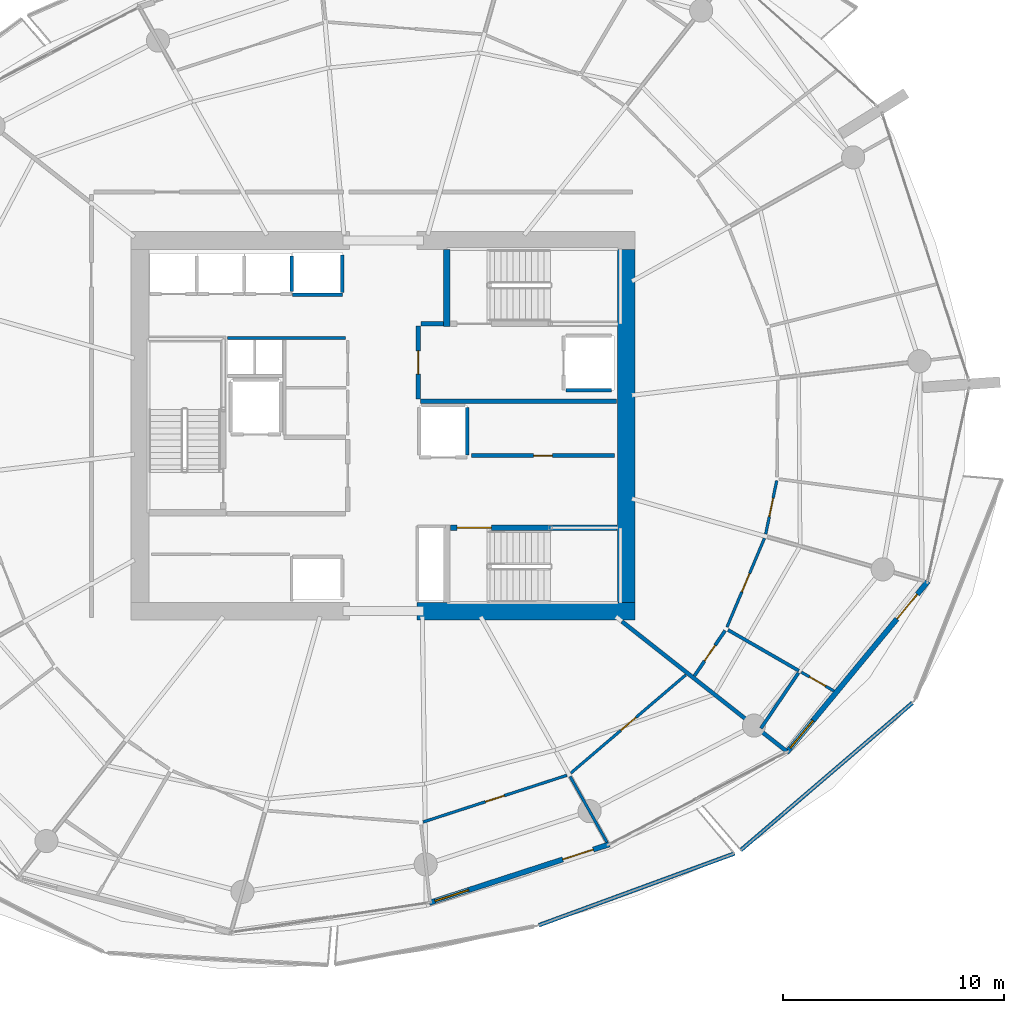
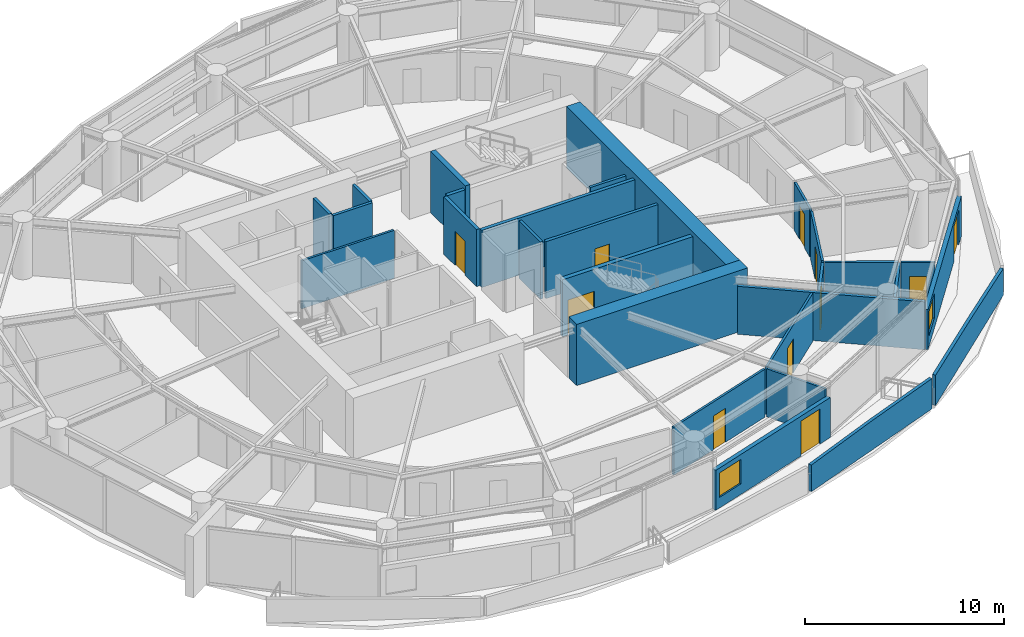
# One storey, part 13 of 20: 28 walls, 11 doors, 2 windows, 13 openings.
"""IFC4 building model written with IfcOpenShell, lengths in metres."""

import ifcopenshell
import ifcopenshell.guid

model = None  # the IFC model being written
_history = None  # IfcOwnerHistory: only IFC2X3 demands one
_inside = {}  # id of a spatial element -> (the spatial element, [elements in it])
_under = {}  # id of a project, library or spatial element -> (it, [spatial elements below it])
_declared = {}  # id of a project -> (the project, [libraries it declares])
_typed = {}  # id of a type object -> (the type object, [elements of that type])
_made_of = {}  # id of a material, layer set ... -> (it, [elements and type objects made of it])


def new_model(schema):
    """Start an empty IFC model of exactly this schema.

    Asked for "IFC4X3", IfcOpenShell would pick the latest addendum, in which some entities
    have other attributes; the version numbers below select the first issue.
    IFC2X3 requires an IfcOwnerHistory on every rooted entity: one is made here for all.
    """
    global model, _history
    if schema == "IFC4X3":
        model = ifcopenshell.file(schema_version=(4, 3, 0, 0))
    else:
        model = ifcopenshell.file(schema=schema)
    _inside.clear()
    _under.clear()
    _declared.clear()
    _typed.clear()
    _made_of.clear()
    _history = None
    if model.schema == "IFC2X3":
        org = make("IfcOrganization", Name="unknown")
        user = make(
            "IfcPersonAndOrganization",
            ThePerson=make("IfcPerson", FamilyName="unknown"),
            TheOrganization=org,
        )
        app = make(
            "IfcApplication",
            ApplicationDeveloper=org,
            Version="unknown",
            ApplicationFullName="unknown",
            ApplicationIdentifier="unknown",
        )
        _history = make(
            "IfcOwnerHistory",
            OwningUser=user,
            OwningApplication=app,
            ChangeAction="ADDED",
            CreationDate=0,
        )
    return model


def make(cls, **values):
    """One entity of the class cls with the attributes given. An attribute that is None is left unset."""
    return model.create_entity(
        cls, **{name: value for name, value in values.items() if value is not None}
    )


def rooted(cls, **values):
    """An entity with a GlobalId (a new one), such as an element, a storey or a relation."""
    return make(cls, GlobalId=ifcopenshell.guid.new(), OwnerHistory=_history, **values)


def si_unit(unit_type, name, prefix=None):
    """IfcSIUnit, for example si_unit("LENGTHUNIT", "METRE", prefix="MILLI")."""
    return make("IfcSIUnit", UnitType=unit_type, Prefix=prefix, Name=name)


def assignment(units):
    """IfcUnitAssignment: the units of a project."""
    return None if units is None else make("IfcUnitAssignment", Units=units)


def point(xyz):
    """IfcCartesianPoint."""
    return None if xyz is None else make("IfcCartesianPoint", Coordinates=xyz)


def direction(xyz):
    """IfcDirection."""
    return None if xyz is None else make("IfcDirection", DirectionRatios=xyz)


def frame(location, z_axis=None, x_axis=None):
    """IfcAxis2Placement3D, a coordinate frame: its origin and axes. An axis left out is left unset."""
    return make(
        "IfcAxis2Placement3D",
        Location=point(location),
        Axis=direction(z_axis),
        RefDirection=direction(x_axis),
    )


def frame_2d(location, x_axis=None):
    """IfcAxis2Placement2D, a coordinate frame in the plane: its origin and x axis."""
    return make(
        "IfcAxis2Placement2D", Location=point(location), RefDirection=direction(x_axis)
    )


def origin():
    """The frame at (0, 0, 0) with its axes left unset."""
    return frame((0.0, 0.0, 0.0))


def place(relative_to, where):
    """IfcLocalPlacement: puts the frame where relative to a parent placement (None: the world)."""
    return make(
        "IfcLocalPlacement", PlacementRelTo=relative_to, RelativePlacement=where
    )


def context(
    kind, dimensions, precision=None, world=None, true_north=None, identifier=None
):
    """IfcGeometricRepresentationContext, for example the 3D "Model" context."""
    return make(
        "IfcGeometricRepresentationContext",
        ContextIdentifier=identifier,
        ContextType=kind,
        CoordinateSpaceDimension=dimensions,
        Precision=precision,
        WorldCoordinateSystem=world,
        TrueNorth=true_north,
    )


def subcontext(parent, identifier, kind, view, scale=None):
    """IfcGeometricRepresentationSubContext, for example "Body" below "Model"."""
    return make(
        "IfcGeometricRepresentationSubContext",
        ContextIdentifier=identifier,
        ContextType=kind,
        ParentContext=parent,
        TargetScale=scale,
        TargetView=view,
    )


def project(units=None, contexts=None):
    """IfcProject with its units and contexts."""
    return rooted(
        "IfcProject",
        Name="project",
        RepresentationContexts=contexts,
        UnitsInContext=assignment(units),
    )


def spatial(cls, under=None, at=None, **own):
    """A site, building, storey or space (cls), placed at a placement, below another one or the project."""
    s = rooted(cls, ObjectPlacement=at, **own)
    if under is not None:
        _under.setdefault(under.id(), (under, []))[1].append(s)
    return s


def polyline(points):
    """IfcPolyline through the points."""
    return make("IfcPolyline", Points=[point(p) for p in points])


def profile(cls, at=None, kind="AREA", **sizes):
    """A parametric profile (cls). Its sizes go by their IFC names, for example OverallWidth=200.0."""
    return make(cls, ProfileType=kind, Position=at, **sizes)


def rectangle(**sizes):
    """IfcRectangleProfileDef."""
    return profile("IfcRectangleProfileDef", **sizes)


def outline(outer, holes=None, kind="AREA"):
    """IfcArbitraryClosedProfileDef: a profile drawn as a closed curve; with holes, ...WithVoids."""
    if holes is None:
        return make("IfcArbitraryClosedProfileDef", ProfileType=kind, OuterCurve=outer)
    return make(
        "IfcArbitraryProfileDefWithVoids",
        ProfileType=kind,
        OuterCurve=outer,
        InnerCurves=holes,
    )


def extrude(swept, where, along, depth):
    """IfcExtrudedAreaSolid: the profile swept, set in the frame where, extruded along a direction by depth."""
    return make(
        "IfcExtrudedAreaSolid",
        SweptArea=swept,
        Position=where,
        ExtrudedDirection=direction(along),
        Depth=depth,
    )


def shape(context_of_items, identifier, shape_type, items):
    """IfcShapeRepresentation: the items that make up one representation, for example the "Body"."""
    return make(
        "IfcShapeRepresentation",
        ContextOfItems=context_of_items,
        RepresentationIdentifier=identifier,
        RepresentationType=shape_type,
        Items=items,
    )


def material(Name=None, Category=None):
    """IfcMaterial."""
    return make("IfcMaterial", Name=Name, Category=Category)


def layer(
    of_material, thickness, ventilated=None, Name=None, Category=None, Priority=None
):
    """IfcMaterialLayer: one layer of a wall or slab, of a material (None: an air gap)."""
    return make(
        "IfcMaterialLayer",
        Material=of_material,
        LayerThickness=thickness,
        IsVentilated=ventilated,
        Name=Name,
        Category=Category,
        Priority=Priority,
    )


def layer_set(layers, Name=None):
    """IfcMaterialLayerSet."""
    return make("IfcMaterialLayerSet", MaterialLayers=layers, LayerSetName=Name)


def made_of(thing, what):
    """Note that an element or type object is made of a material, layer set ...; save() writes the relation."""
    if what is not None:
        _made_of.setdefault(what.id(), (what, []))[1].append(thing)
    return thing


def type_object(cls, material=None, **own):
    """A type object (cls), such as IfcWallType, which elements share."""
    return made_of(rooted(cls, **own), material)


def element(
    cls,
    number,
    at=None,
    inside=None,
    cuts=None,
    type_object=None,
    material=None,
    context=None,
    identifier="Body",
    shape_type=None,
    held_by="IfcProductDefinitionShape",
    body=None,
    shapes=None,
    **own,
):
    """One element of the class cls, such as IfcWall. Its Tag is "e" and its number.

    at: its placement. inside: the storey or other place that contains it. cuts: it is an
    opening in that element (IfcRelVoidsElement). A single representation is given by context,
    identifier, shape_type and body (its items); several are given by shapes. held_by: the class
    of the entity that holds the representations. save() writes the other relations.
    """
    e = rooted(cls, Tag="e%d" % number, ObjectPlacement=at, **own)
    if body is not None:
        shapes = [shape(context, identifier, shape_type, body)]
    if shapes is not None:
        e.Representation = make(held_by, Representations=shapes)
    if inside is not None:
        _inside.setdefault(inside.id(), (inside, []))[1].append(e)
    if cuts is not None:
        rooted(
            "IfcRelVoidsElement", RelatingBuildingElement=cuts, RelatedOpeningElement=e
        )
    if type_object is not None:
        _typed.setdefault(type_object.id(), (type_object, []))[1].append(e)
    return made_of(e, material)


def fill(opening, filler):
    """IfcRelFillsElement: the door or window that sits in an opening."""
    return rooted(
        "IfcRelFillsElement",
        RelatingOpeningElement=opening,
        RelatedBuildingElement=filler,
    )


def aggregate(whole, parts):
    """IfcRelAggregates: a whole, such as a stair, and the parts it consists of."""
    return rooted("IfcRelAggregates", RelatingObject=whole, RelatedObjects=parts)


def save(model, path):
    """Write the relations noted so far, then the file.

    IfcRelAggregates (storeys below a building ...), IfcRelContainedInSpatialStructure (elements
    in a storey), IfcRelDefinesByType, IfcRelAssociatesMaterial and IfcRelDeclares: one each for
    every whole, place, type object, material and project.
    """
    for whole, parts in _under.values():
        aggregate(whole, parts)
    for where, things in _inside.values():
        rooted(
            "IfcRelContainedInSpatialStructure",
            RelatedElements=things,
            RelatingStructure=where,
        )
    for kind, things in _typed.values():
        rooted("IfcRelDefinesByType", RelatedObjects=things, RelatingType=kind)
    for what, things in _made_of.values():
        rooted("IfcRelAssociatesMaterial", RelatedObjects=things, RelatingMaterial=what)
    for by, libraries in _declared.values():
        rooted("IfcRelDeclares", RelatingContext=by, RelatedDefinitions=libraries)
    model.write(path)


model = new_model("IFC4")

# Units and contexts
model_context = context("Model", 3, precision=1e-05, world=origin(), true_north=direction((0.0, 1.0)))
body_context = subcontext(model_context, "Body", "Model", "MODEL_VIEW")
ifc_project = project(units=[si_unit("LENGTHUNIT", "METRE"), si_unit("AREAUNIT", "SQUARE_METRE"), si_unit("VOLUMEUNIT", "CUBIC_METRE"), si_unit("PLANEANGLEUNIT", "RADIAN"), si_unit("MASSUNIT", "GRAM", prefix="KILO")], contexts=[model_context])

# Site, building, storey
site_placement = place(None, origin())
site = spatial("IfcSite", under=ifc_project, at=site_placement, CompositionType="ELEMENT")
building_placement = place(site_placement, origin())
building = spatial("IfcBuilding", under=site, at=building_placement, Name="Kazma Halo Residences", CompositionType="ELEMENT")
storey_placement = place(building_placement, frame((0.0, 0.0, 131.550048828125)))
storey = spatial("IfcBuildingStorey", under=building, at=storey_placement, Name="L32", CompositionType="ELEMENT", Elevation=131.550048828125)

# Walls
ifc_material_1 = material(Name="White Concrete C50/60 Balustrade", Category="concrete")
ifc_layer_1 = layer(ifc_material_1, 0.179931640625)
ifc_layer_set_1 = layer_set([ifc_layer_1], Name="White Concrete C50/60 Balustrade")
wall_type_1 = type_object("IfcWallType", Name="WL-BAL-WAVE-180", PredefinedType="PARAPET", material=ifc_layer_set_1)
wall_1_placement = place(storey_placement, frame((55.481689453125, 19.36181640625, 0.0), z_axis=(0.0, 0.0, 1.0), x_axis=(0.93889246029, 0.344210615774, 0.0)))
element("IfcWall", 1, at=wall_1_placement, inside=storey, type_object=wall_type_1, Name="L32 white wave balustrade wall SSE.2", PredefinedType="PARAPET", context=body_context, shape_type="SweptSolid", body=[
    extrude(outline(polyline([(0.0, 0.0), (9.448974609375, 0.0), (9.448974609375, 1.85986328125), (4.724609375, 1.7978515625), (0.0, 1.6318359375), (0.0, 0.0)])), frame((0.0, 0.08984375, 0.0), z_axis=(0.0, -1.0, 0.0), x_axis=(1.0, 0.0, 0.0)), (0.0, 0.0, 1.0), 0.179931640625),
])
wall_2_placement = place(storey_placement, frame((64.6337890625, 22.763427734375, 0.0), z_axis=(0.0, 0.0, 1.0), x_axis=(0.758999279374, 0.651091463551, 0.0)))
element("IfcWall", 2, at=wall_2_placement, inside=storey, type_object=wall_type_1, Name="L32 white wave balustrade wall SE.1", PredefinedType="PARAPET", context=body_context, shape_type="SweptSolid", body=[
    extrude(outline(polyline([(0.0, 0.0), (10.2490234375, 0.0), (10.2490234375, 1.6318359375), (5.12451171875, 1.7978515625), (0.0, 1.85986328125), (0.0, 0.0)])), frame((0.0, 0.08984375, 0.0), z_axis=(0.0, -1.0, 0.0), x_axis=(1.0, 0.0, 0.0)), (0.0, 0.0, 1.0), 0.179931640625),
])
ifc_material_2 = material(Name="Concrete C80/95", Category="concrete")
ifc_layer_2 = layer(ifc_material_2, 0.800048828125)
ifc_layer_set_2 = layer_set([ifc_layer_2], Name="Concrete C80/95")
wall_type_2 = type_object("IfcWallType", Name="WL-CORE-800", PredefinedType="SHEAR", material=ifc_layer_set_2)
wall_3_placement = place(storey_placement, frame((49.949951171875, 33.60009765625, 0.0), z_axis=(0.0, 0.0, 1.0), x_axis=(1.0, 0.0, 0.0)))
element("IfcWall", 3, at=wall_3_placement, inside=storey, type_object=wall_type_2, Name="L32 central core shear wall SE", PredefinedType="SHEAR", context=body_context, shape_type="SweptSolid", body=[
    extrude(rectangle(XDim=9.900146484375, YDim=0.800048828125, at=frame_2d((4.9501953125, 0.0))), origin(), (0.0, 0.0, 1.0), 3.75),
])
wall_4_placement = place(storey_placement, frame((59.449951171875, 34.0, 0.0), z_axis=(0.0, 0.0, 1.0), x_axis=(0.0, 1.0, 0.0)))
element("IfcWall", 4, at=wall_4_placement, inside=storey, type_object=wall_type_2, Name="L32 central core shear wall E", PredefinedType="SHEAR", context=body_context, shape_type="SweptSolid", body=[
    extrude(rectangle(XDim=16.0, YDim=0.800048828125, at=frame_2d((8.0, 0.0))), origin(), (0.0, 0.0, 1.0), 3.75),
])
ifc_material_3 = material(Name="Concrete C60/75", Category="concrete")
ifc_layer_3 = layer(ifc_material_3, 0.280029296875)
ifc_layer_set_3 = layer_set([ifc_layer_3], Name="Concrete C60/75")
wall_type_3 = type_object("IfcWallType", Name="WL-CORE-ST-280", PredefinedType="SHEAR", material=ifc_layer_set_3)
wall_5_placement = place(storey_placement, frame((51.31005859375, 46.5, 0.0), z_axis=(0.0, 0.0, 1.0), x_axis=(0.0, 1.0, 0.0)))
element("IfcWall", 5, at=wall_5_placement, inside=storey, type_object=wall_type_3, Name="L32 stairwell bearing wall ST02-W", PredefinedType="SHEAR", context=body_context, shape_type="SweptSolid", body=[
    extrude(rectangle(XDim=3.5, YDim=0.280029296875, at=frame_2d((1.75, 0.0))), origin(), (0.0, 0.0, 1.0), 3.75),
])
ifc_material_4 = material(Name="Acoustic Twin-Stud Gypsum")
ifc_layer_4 = layer(ifc_material_4, 0.179931640625)
ifc_layer_set_4 = layer_set([ifc_layer_4], Name="Acoustic Twin-Stud Gypsum")
wall_type_4 = type_object("IfcWallType", Name="WL-DEM-180", PredefinedType="PARTITIONING", material=ifc_layer_set_4)
wall_6_placement = place(storey_placement, frame((59.2490234375, 33.1318359375, 0.0), z_axis=(0.0, 0.0, 1.0), x_axis=(0.785334414621, -0.619071770647, 0.0)))
element("IfcWall", 6, at=wall_6_placement, inside=storey, type_object=wall_type_4, Name="L32 apartment demising radial wall 13", PredefinedType="PARTITIONING", context=body_context, shape_type="SweptSolid", body=[
    extrude(rectangle(XDim=9.51513671875, YDim=0.179931640625, at=frame_2d((4.757568359375, 0.0))), origin(), (0.0, 0.0, 1.0), 2.93994140625),
])

# Wall, openings, door, window
ifc_material_5 = material(Name="Insulated Pale-Metal Composite Wall")
ifc_layer_5 = layer(ifc_material_5, 0.239990234375)
ifc_layer_set_5 = layer_set([ifc_layer_5], Name="Insulated Pale-Metal Composite Wall")
wall_type_5 = type_object("IfcWallType", Name="WL-EXT-HOST-240", PredefinedType="SOLIDWALL", material=ifc_layer_set_5)
wall_7_placement = place(storey_placement, frame((50.510009765625, 20.375732421875, 0.0), z_axis=(0.0, 0.0, 1.0), x_axis=(0.951046390632, 0.309048156224, 0.0)))
wall_7 = element("IfcWall", 7, at=wall_7_placement, inside=storey, type_object=wall_type_5, Name="L32 exterior terrace-access wall B12", PredefinedType="SOLIDWALL", context=body_context, shape_type="SweptSolid", body=[
    extrude(rectangle(XDim=8.590087890625, YDim=0.239990234375, at=frame_2d((4.294921875, 0.0))), origin(), (0.0, 0.0, 1.0), 2.449951171875),
])
opening_1_placement = place(wall_7_placement, frame((6.370361328125, 0.0, 0.0)))
opening_1 = element("IfcOpeningElement", 8, at=opening_1_placement, cuts=wall_7, Name="Opening DTR-1600", PredefinedType="OPENING", context=body_context, shape_type="SweptSolid", body=[
    extrude(rectangle(XDim=1.449951171875, YDim=2.14990234375, at=frame_2d((0.72509765625, 1.074951171875))), frame((0.0, 0.1298828125, 0.0), z_axis=(0.0, -1.0, 0.0), x_axis=(1.0, 0.0, 0.0)), (0.0, 0.0, 1.0), 0.260009765625),
])
opening_2_placement = place(wall_7_placement, frame((0.280029296875, 0.0, 0.64990234375)))
opening_2 = element("IfcOpeningElement", 9, at=opening_2_placement, cuts=wall_7, Name="Opening W-1800", PredefinedType="OPENING", context=body_context, shape_type="SweptSolid", body=[
    extrude(rectangle(XDim=1.60009765625, YDim=1.5, at=frame_2d((0.800048828125, 0.75))), frame((0.0, 0.1298828125, 0.0), z_axis=(0.0, -1.0, 0.0), x_axis=(1.0, 0.0, 0.0)), (0.0, 0.0, 1.0), 0.260009765625),
])
ifc_material_6 = material(Name="Aluminium AW-6063 T6 Double-Glazed Terrace Door", Category="aluminium")
door_type_1 = type_object("IfcDoorType", Name="DR-EXT-TERR-1600", OperationType="NOTDEFINED", PredefinedType="DOOR", material=ifc_material_6)
door_1_placement = place(opening_1_placement, origin())
door_1 = element("IfcDoor", 10, at=door_1_placement, inside=storey, type_object=door_type_1, Name="L32 B12 balcony terrace door", OperationType="DOUBLE_DOOR_SLIDING", OverallHeight=2.14990234375, OverallWidth=1.449951171875, PredefinedType="DOOR", context=body_context, shape_type="SweptSolid", body=[
    extrude(rectangle(XDim=1.449951171875, YDim=2.14990234375, at=frame_2d((0.72509765625, 1.074951171875))), frame((0.0, 0.02490234375, 0.0), z_axis=(0.0, -1.0, 0.0), x_axis=(1.0, 0.0, 0.0)), (0.0, 0.0, 1.0), 0.050048828125),
])
fill(opening_1, door_1)
ifc_material_7 = material(Name="Clear Triple-Silver Low-E Glass in Aluminium AW-6063 T6 Frame", Category="aluminium")
window_type = type_object("IfcWindowType", Name="WIN-RES-1800", PartitioningType="DOUBLE_PANEL_VERTICAL", PredefinedType="WINDOW", material=ifc_material_7)
window_1_placement = place(opening_2_placement, origin())
window_1 = element("IfcWindow", 11, at=window_1_placement, inside=storey, type_object=window_type, Name="L32 B12 apartment window", OverallHeight=1.5, OverallWidth=1.60009765625, PartitioningType="SINGLE_PANEL", PredefinedType="WINDOW", context=body_context, shape_type="SweptSolid", body=[
    extrude(rectangle(XDim=1.60009765625, YDim=1.5, at=frame_2d((0.800048828125, 0.75))), frame((0.0, 0.030029296875, 0.0), z_axis=(0.0, -1.0, 0.0), x_axis=(1.0, 0.0, 0.0)), (0.0, 0.0, 1.0), 0.06005859375),
])
fill(opening_2, window_1)

wall_8_placement = place(storey_placement, frame((66.70947265625, 27.18701171875, 0.0), z_axis=(0.0, 0.0, 1.0), x_axis=(0.636771922292, 0.77105221547, 0.0)))
wall_8 = element("IfcWall", 12, at=wall_8_placement, inside=storey, type_object=wall_type_5, Name="L32 exterior terrace-access wall B14", PredefinedType="SOLIDWALL", context=body_context, shape_type="SweptSolid", body=[
    extrude(rectangle(XDim=10.08154296875, YDim=0.239990234375, at=frame_2d((5.040771484375, 0.0))), origin(), (0.0, 0.0, 1.0), 2.449951171875),
])
opening_3_placement = place(wall_8_placement, frame((7.861572265625, 0.0, 0.0)))
opening_3 = element("IfcOpeningElement", 13, at=opening_3_placement, cuts=wall_8, Name="Opening DTR-1600", PredefinedType="OPENING", context=body_context, shape_type="SweptSolid", body=[
    extrude(rectangle(XDim=1.449951171875, YDim=2.14990234375, at=frame_2d((0.72509765625, 1.074951171875))), frame((0.0, 0.1298828125, 0.0), z_axis=(0.0, -1.0, 0.0), x_axis=(1.0, 0.0, 0.0)), (0.0, 0.0, 1.0), 0.260009765625),
])
opening_4_placement = place(wall_8_placement, frame((0.280029296875, 0.0, 0.64990234375)))
opening_4 = element("IfcOpeningElement", 14, at=opening_4_placement, cuts=wall_8, Name="Opening W-1800", PredefinedType="OPENING", context=body_context, shape_type="SweptSolid", body=[
    extrude(rectangle(XDim=1.60009765625, YDim=1.5, at=frame_2d((0.800048828125, 0.75))), frame((0.0, 0.1298828125, 0.0), z_axis=(0.0, -1.0, 0.0), x_axis=(1.0, 0.0, 0.0)), (0.0, 0.0, 1.0), 0.260009765625),
])
door_2_placement = place(opening_3_placement, origin())
door_2 = element("IfcDoor", 15, at=door_2_placement, inside=storey, type_object=door_type_1, Name="L32 B14 balcony terrace door", OperationType="DOUBLE_DOOR_SLIDING", OverallHeight=2.14990234375, OverallWidth=1.449951171875, PredefinedType="DOOR", context=body_context, shape_type="SweptSolid", body=[
    extrude(rectangle(XDim=1.449951171875, YDim=2.14990234375, at=frame_2d((0.72509765625, 1.074951171875))), frame((0.0, 0.02490234375, 0.0), z_axis=(0.0, -1.0, 0.0), x_axis=(1.0, 0.0, 0.0)), (0.0, 0.0, 1.0), 0.050048828125),
])
fill(opening_3, door_2)
window_2_placement = place(opening_4_placement, origin())
window_2 = element("IfcWindow", 16, at=window_2_placement, inside=storey, type_object=window_type, Name="L32 B14 apartment window", OverallHeight=1.5, OverallWidth=1.60009765625, PartitioningType="SINGLE_PANEL", PredefinedType="WINDOW", context=body_context, shape_type="SweptSolid", body=[
    extrude(rectangle(XDim=1.60009765625, YDim=1.5, at=frame_2d((0.800048828125, 0.75))), frame((0.0, 0.030029296875, 0.0), z_axis=(0.0, -1.0, 0.0), x_axis=(1.0, 0.0, 0.0)), (0.0, 0.0, 1.0), 0.06005859375),
])
fill(opening_4, window_2)

# Walls
ifc_material_8 = material(Name="Fire-Rated Blockwork Masonry", Category="masonry")
ifc_layer_6 = layer(ifc_material_8, 0.199951171875)
ifc_layer_set_6 = layer_set([ifc_layer_6], Name="Fire-Rated Blockwork Masonry")
wall_type_6 = type_object("IfcWallType", Name="WL-FLB-200", PredefinedType="PARTITIONING", material=ifc_layer_set_6)
wall_9_placement = place(storey_placement, frame((44.27490234375, 48.094970703125, 0.0), z_axis=(0.0, 0.0, 1.0), x_axis=(0.0, 1.0, 0.0)))
element("IfcWall", 17, at=wall_9_placement, inside=storey, type_object=wall_type_6, Name="L32 lift shaft PM-03 side wall E", PredefinedType="PARTITIONING", context=body_context, shape_type="SweptSolid", body=[
    extrude(rectangle(XDim=1.610107421875, YDim=0.159912109375, at=frame_2d((0.80517578125, 0.0))), origin(), (0.0, 0.0, 1.0), 3.5),
])
wall_10_placement = place(storey_placement, frame((46.580078125, 47.945068359375, 0.0), z_axis=(0.0, 0.0, 1.0), x_axis=(-1.0, 0.0, 0.0)))
element("IfcWall", 18, at=wall_10_placement, inside=storey, type_object=wall_type_6, Name="L32 lift shaft PX-01 front wall", PredefinedType="PARTITIONING", context=body_context, shape_type="SweptSolid", body=[
    extrude(rectangle(XDim=2.260009765625, YDim=0.159912109375, at=frame_2d((1.1298828125, 0.0))), origin(), (0.0, 0.0, 1.0), 3.5),
])
wall_11_placement = place(storey_placement, frame((46.580078125, 48.044921875, 0.0), z_axis=(0.0, 0.0, 1.0), x_axis=(0.0, 1.0, 0.0)))
element("IfcWall", 19, at=wall_11_placement, inside=storey, type_object=wall_type_6, Name="L32 lift shaft PX-01 side wall E", PredefinedType="PARTITIONING", context=body_context, shape_type="SweptSolid", body=[
    extrude(rectangle(XDim=1.7099609375, YDim=0.159912109375, at=frame_2d((0.85498046875, 0.0))), origin(), (0.0, 0.0, 1.0), 3.5),
])
wall_12_placement = place(storey_placement, frame((56.719970703125, 43.6201171875, 0.0), z_axis=(0.0, 0.0, 1.0), x_axis=(1.0, 0.0, 0.0)))
element("IfcWall", 20, at=wall_12_placement, inside=storey, type_object=wall_type_6, Name="L32 lift shaft FL-02 side wall S", PredefinedType="PARTITIONING", context=body_context, shape_type="SweptSolid", body=[
    extrude(rectangle(XDim=2.06005859375, YDim=0.159912109375, at=frame_2d((1.030029296875, 0.0))), origin(), (0.0, 0.0, 1.0), 3.5),
])
wall_13_placement = place(storey_placement, frame((52.22998046875, 40.669921875, 0.0), z_axis=(0.0, 0.0, 1.0), x_axis=(0.0, 1.0, 0.0)))
element("IfcWall", 21, at=wall_13_placement, inside=storey, type_object=wall_type_6, Name="L32 lift shaft SV-01 side wall E", PredefinedType="PARTITIONING", context=body_context, shape_type="SweptSolid", body=[
    extrude(rectangle(XDim=2.16015625, YDim=0.159912109375, at=frame_2d((1.080078125, 0.0))), origin(), (0.0, 0.0, 1.0), 3.5),
])

# Wall, opening, door
wall_14_placement = place(storey_placement, frame((52.419921875, 40.64990234375, 0.0), z_axis=(0.0, 0.0, 1.0), x_axis=(1.0, 0.0, 0.0)))
wall_14 = element("IfcWall", 22, at=wall_14_placement, inside=storey, type_object=wall_type_6, Name="L32 core east reserve wall", PredefinedType="PARTITIONING", context=body_context, shape_type="SweptSolid", body=[
    extrude(rectangle(XDim=6.5, YDim=0.179931640625, at=frame_2d((3.25, 0.0))), origin(), (0.0, 0.0, 1.0), 3.5),
])
opening_5_placement = place(wall_14_placement, frame((2.824951171875, 0.0, 0.0)))
opening_5 = element("IfcOpeningElement", 23, at=opening_5_placement, cuts=wall_14, Name="Opening DS-850", PredefinedType="OPENING", context=body_context, shape_type="SweptSolid", body=[
    extrude(rectangle(XDim=0.85009765625, YDim=2.06005859375, at=frame_2d((0.425048828125, 1.030029296875))), frame((0.0, 0.099853515625, 0.0), z_axis=(0.0, -1.0, 0.0), x_axis=(1.0, 0.0, 0.0)), (0.0, 0.0, 1.0), 0.199951171875),
])
ifc_material_9 = material(Name="Painted Steel Access Leaf", Category="steel")
door_type_2 = type_object("IfcDoorType", Name="DR-SVC-850", OperationType="NOTDEFINED", PredefinedType="DOOR", material=ifc_material_9)
door_3_placement = place(opening_5_placement, origin())
door_3 = element("IfcDoor", 24, at=door_3_placement, inside=storey, type_object=door_type_2, Name="L32 core east reserve door", OperationType="SINGLE_SWING_LEFT", OverallHeight=2.06005859375, OverallWidth=0.85009765625, PredefinedType="DOOR", context=body_context, shape_type="SweptSolid", body=[
    extrude(rectangle(XDim=0.85009765625, YDim=2.06005859375, at=frame_2d((0.425048828125, 1.030029296875))), frame((0.0, 0.02490234375, 0.0), z_axis=(0.0, -1.0, 0.0), x_axis=(1.0, 0.0, 0.0)), (0.0, 0.0, 1.0), 0.050048828125),
])
fill(opening_5, door_3)

# Walls
wall_15_placement = place(storey_placement, frame((50.1201171875, 43.1201171875, 0.0), z_axis=(0.0, 0.0, 1.0), x_axis=(1.0, 0.0, 0.0)))
element("IfcWall", 25, at=wall_15_placement, inside=storey, type_object=wall_type_6, Name="L32 east firefighting lobby south smoke wall", PredefinedType="PARTITIONING", context=body_context, shape_type="SweptSolid", body=[
    extrude(rectangle(XDim=8.8798828125, YDim=0.199951171875, at=frame_2d((4.43994140625, 0.0))), origin(), (0.0, 0.0, 1.0), 3.5),
])
wall_16_placement = place(storey_placement, frame((50.139892578125, 46.6201171875, 0.0), z_axis=(0.0, 0.0, 1.0), x_axis=(1.0, 0.0, 0.0)))
element("IfcWall", 26, at=wall_16_placement, inside=storey, type_object=wall_type_6, Name="L32 east firefighting lobby north closure wall", PredefinedType="PARTITIONING", context=body_context, shape_type="SweptSolid", body=[
    extrude(rectangle(XDim=1.02001953125, YDim=0.199951171875, at=frame_2d((0.510009765625, 0.0))), origin(), (0.0, 0.0, 1.0), 3.5),
])

# Wall, opening, door
wall_17_placement = place(storey_placement, frame((50.02001953125, 43.219970703125, 0.0), z_axis=(0.0, 0.0, 1.0), x_axis=(0.0, 1.0, 0.0)))
wall_17 = element("IfcWall", 27, at=wall_17_placement, inside=storey, type_object=wall_type_6, Name="L32 east firefighting lobby smoke wall", PredefinedType="PARTITIONING", context=body_context, shape_type="SweptSolid", body=[
    extrude(rectangle(XDim=3.300048828125, YDim=0.199951171875, at=frame_2d((1.64990234375, 0.0))), origin(), (0.0, 0.0, 1.0), 3.5),
])
opening_6_placement = place(wall_17_placement, frame((1.125, 0.0, 0.0)))
opening_6 = element("IfcOpeningElement", 28, at=opening_6_placement, cuts=wall_17, Name="Opening D-FLE", PredefinedType="OPENING", context=body_context, shape_type="SweptSolid", body=[
    extrude(rectangle(XDim=1.050048828125, YDim=2.10009765625, at=frame_2d((0.52490234375, 1.050048828125))), frame((0.0, 0.10986328125, 0.0), z_axis=(0.0, -1.0, 0.0), x_axis=(1.0, 0.0, 0.0)), (0.0, 0.0, 1.0), 0.219970703125),
])
ifc_material_10 = material(Name="Fire-Rated Steel Leaf", Category="steel")
door_type_3 = type_object("IfcDoorType", Name="DR-FD90-1050", OperationType="NOTDEFINED", PredefinedType="DOOR", material=ifc_material_10)
door_4_placement = place(opening_6_placement, origin())
door_4 = element("IfcDoor", 29, at=door_4_placement, inside=storey, type_object=door_type_3, Name="L32 east firefighting lobby smoke door", OperationType="SINGLE_SWING_RIGHT", OverallHeight=2.10009765625, OverallWidth=1.050048828125, PredefinedType="DOOR", context=body_context, shape_type="SweptSolid", body=[
    extrude(rectangle(XDim=1.050048828125, YDim=2.10009765625, at=frame_2d((0.52490234375, 1.050048828125))), frame((0.0, 0.02490234375, 0.0), z_axis=(0.0, -1.0, 0.0), x_axis=(1.0, 0.0, 0.0)), (0.0, 0.0, 1.0), 0.050048828125),
])
fill(opening_6, door_4)

# Wall
ifc_material_11 = material(Name="Gypsum Plasterboard Partition")
ifc_layer_7 = layer(ifc_material_11, 0.125)
ifc_layer_set_7 = layer_set([ifc_layer_7], Name="Gypsum Plasterboard Partition")
wall_type_7 = type_object("IfcWallType", Name="WL-PART-125", PredefinedType="PARTITIONING", material=ifc_layer_set_7)
wall_18_placement = place(storey_placement, frame((41.360107421875, 45.97998046875, 0.0), z_axis=(0.0, 0.0, 1.0), x_axis=(1.0, 0.0, 0.0)))
element("IfcWall", 30, at=wall_18_placement, inside=storey, type_object=wall_type_7, Name="L32 core north riser wall", PredefinedType="PARTITIONING", context=body_context, shape_type="SweptSolid", body=[
    extrude(rectangle(XDim=5.35986328125, YDim=0.125, at=frame_2d((2.679931640625, 0.0))), origin(), (0.0, 0.0, 1.0), 2.93994140625),
])

# Wall, opening, door
wall_19_placement = place(storey_placement, frame((50.234375, 24.04052734375, 0.0), z_axis=(0.0, 0.0, 1.0), x_axis=(0.951054759124, 0.309022402339, 0.0)))
wall_19 = element("IfcWall", 31, at=wall_19_placement, inside=storey, type_object=wall_type_7, Name="L32 Apartment 1 Corner Formal Dining Room gallery wall", PredefinedType="PARTITIONING", context=body_context, shape_type="SweptSolid", body=[
    extrude(rectangle(XDim=6.849609375, YDim=0.125, at=frame_2d((3.4248046875, 0.0))), origin(), (0.0, 0.0, 1.0), 2.93994140625),
])
opening_7_placement = place(wall_19_placement, frame((2.974853515625, 0.0, 0.0)))
opening_7 = element("IfcOpeningElement", 32, at=opening_7_placement, cuts=wall_19, Name="Opening DI-950", PredefinedType="OPENING", context=body_context, shape_type="SweptSolid", body=[
    extrude(rectangle(XDim=0.89990234375, YDim=2.080078125, at=frame_2d((0.449951171875, 1.0400390625))), frame((0.0, 0.072509765625, 0.0), z_axis=(0.0, -1.0, 0.0), x_axis=(1.0, 0.0, 0.0)), (0.0, 0.0, 1.0), 0.14501953125),
])
ifc_material_12 = material(Name="Timber Veneer Flush Leaf", Category="wood")
door_type_4 = type_object("IfcDoorType", Name="DR-INT-950", OperationType="NOTDEFINED", PredefinedType="DOOR", material=ifc_material_12)
door_5_placement = place(opening_7_placement, origin())
door_5 = element("IfcDoor", 33, at=door_5_placement, inside=storey, type_object=door_type_4, Name="L32 Apartment 1 Corner Formal Dining Room door", OperationType="SINGLE_SWING_RIGHT", OverallHeight=2.080078125, OverallWidth=0.89990234375, PredefinedType="DOOR", context=body_context, shape_type="SweptSolid", body=[
    extrude(rectangle(XDim=0.89990234375, YDim=2.080078125, at=frame_2d((0.449951171875, 1.0400390625))), frame((0.0, 0.02490234375, 0.0), z_axis=(0.0, -1.0, 0.0), x_axis=(1.0, 0.0, 0.0)), (0.0, 0.0, 1.0), 0.050048828125),
])
fill(opening_7, door_5)

# Wall
wall_20_placement = place(storey_placement, frame((56.902099609375, 26.10400390625, 0.0), z_axis=(0.0, 0.0, 1.0), x_axis=(0.48863819443, -0.872486512758, 0.0)))
element("IfcWall", 34, at=wall_20_placement, inside=storey, type_object=wall_type_7, Name="L32 Apartment 1 radial partition 12", PredefinedType="PARTITIONING", context=body_context, shape_type="SweptSolid", body=[
    extrude(rectangle(XDim=3.41552734375, YDim=0.125, at=frame_2d((1.707763671875, 0.0))), origin(), (0.0, 0.0, 1.0), 2.93994140625),
])

# Wall, opening, door
wall_21_placement = place(storey_placement, frame((56.93701171875, 26.2626953125, 0.0), z_axis=(0.0, 0.0, 1.0), x_axis=(0.760405214762, 0.649448927448, 0.0)))
wall_21 = element("IfcWall", 35, at=wall_21_placement, inside=storey, type_object=wall_type_7, Name="L32 Apartment 1 Garden Master Bedroom gallery wall", PredefinedType="PARTITIONING", context=body_context, shape_type="SweptSolid", body=[
    extrude(rectangle(XDim=6.849609375, YDim=0.125, at=frame_2d((3.4248046875, 0.0))), origin(), (0.0, 0.0, 1.0), 2.93994140625),
])
opening_8_placement = place(wall_21_placement, frame((2.974853515625, 0.0, 0.0)))
opening_8 = element("IfcOpeningElement", 36, at=opening_8_placement, cuts=wall_21, Name="Opening DI-950", PredefinedType="OPENING", context=body_context, shape_type="SweptSolid", body=[
    extrude(rectangle(XDim=0.89990234375, YDim=2.080078125, at=frame_2d((0.449951171875, 1.0400390625))), frame((0.0, 0.072509765625, 0.0), z_axis=(0.0, -1.0, 0.0), x_axis=(1.0, 0.0, 0.0)), (0.0, 0.0, 1.0), 0.14501953125),
])
door_6_placement = place(opening_8_placement, origin())
door_6 = element("IfcDoor", 37, at=door_6_placement, inside=storey, type_object=door_type_4, Name="L32 Apartment 1 Garden Master Bedroom door", OperationType="SINGLE_SWING_LEFT", OverallHeight=2.080078125, OverallWidth=0.89990234375, PredefinedType="DOOR", context=body_context, shape_type="SweptSolid", body=[
    extrude(rectangle(XDim=0.89990234375, YDim=2.080078125, at=frame_2d((0.449951171875, 1.0400390625))), frame((0.0, 0.02490234375, 0.0), z_axis=(0.0, -1.0, 0.0), x_axis=(1.0, 0.0, 0.0)), (0.0, 0.0, 1.0), 0.050048828125),
])
fill(opening_8, door_6)

wall_22_placement = place(storey_placement, frame((67.381591796875, 30.833740234375, 0.0), z_axis=(0.0, 0.0, 1.0), x_axis=(0.86648352592, -0.499205668347, 0.0)))
wall_22 = element("IfcWall", 38, at=wall_22_placement, inside=storey, type_object=wall_type_7, Name="L32 Apartment 2 Utility Laundry Room partition wall", PredefinedType="PARTITIONING", context=body_context, shape_type="SweptSolid", body=[
    extrude(rectangle(XDim=1.704345703125, YDim=0.125, at=frame_2d((0.85205078125, 0.0))), origin(), (0.0, 0.0, 1.0), 2.93994140625),
])
opening_9_placement = place(wall_22_placement, frame((0.42724609375, 0.0, 0.0)))
opening_9 = element("IfcOpeningElement", 39, at=opening_9_placement, cuts=wall_22, Name="Opening DB-900", PredefinedType="OPENING", context=body_context, shape_type="SweptSolid", body=[
    extrude(rectangle(XDim=0.85009765625, YDim=2.06005859375, at=frame_2d((0.425048828125, 1.030029296875))), frame((0.0, 0.072509765625, 0.0), z_axis=(0.0, -1.0, 0.0), x_axis=(1.0, 0.0, 0.0)), (0.0, 0.0, 1.0), 0.14501953125),
])
ifc_material_13 = material(Name="Moisture-Sealed Timber Leaf", Category="wood")
door_type_5 = type_object("IfcDoorType", Name="DR-BTH-900", OperationType="NOTDEFINED", PredefinedType="DOOR", material=ifc_material_13)
door_7_placement = place(opening_9_placement, origin())
door_7 = element("IfcDoor", 40, at=door_7_placement, inside=storey, type_object=door_type_5, Name="L32 Apartment 2 Utility Laundry Room door", OperationType="SINGLE_SWING_LEFT", OverallHeight=2.06005859375, OverallWidth=0.85009765625, PredefinedType="DOOR", context=body_context, shape_type="SweptSolid", body=[
    extrude(rectangle(XDim=0.85009765625, YDim=2.06005859375, at=frame_2d((0.425048828125, 1.030029296875))), frame((0.0, 0.02490234375, 0.0), z_axis=(0.0, -1.0, 0.0), x_axis=(1.0, 0.0, 0.0)), (0.0, 0.0, 1.0), 0.050048828125),
])
fill(opening_9, door_7)

wall_23_placement = place(storey_placement, frame((64.011962890625, 32.8779296875, 0.0), z_axis=(0.0, 0.0, 1.0), x_axis=(0.388339376999, 0.92151642865, 0.0)))
wall_23 = element("IfcWall", 41, at=wall_23_placement, inside=storey, type_object=wall_type_7, Name="L32 Apartment 2 Gourmet Kitchen hall wall", PredefinedType="PARTITIONING", context=body_context, shape_type="SweptSolid", body=[
    extrude(rectangle(XDim=4.367431640625, YDim=0.125, at=frame_2d((2.18359375, 0.0))), origin(), (0.0, 0.0, 1.0), 2.93994140625),
])
opening_10_placement = place(wall_23_placement, frame((1.733642578125, 0.0, 0.0)))
opening_10 = element("IfcOpeningElement", 42, at=opening_10_placement, cuts=wall_23, Name="Opening DI-950", PredefinedType="OPENING", context=body_context, shape_type="SweptSolid", body=[
    extrude(rectangle(XDim=0.89990234375, YDim=2.080078125, at=frame_2d((0.449951171875, 1.0400390625))), frame((0.0, 0.072509765625, 0.0), z_axis=(0.0, -1.0, 0.0), x_axis=(1.0, 0.0, 0.0)), (0.0, 0.0, 1.0), 0.14501953125),
])
door_8_placement = place(opening_10_placement, origin())
door_8 = element("IfcDoor", 43, at=door_8_placement, inside=storey, type_object=door_type_4, Name="L32 Apartment 2 Gourmet Kitchen door", OperationType="SINGLE_SWING_RIGHT", OverallHeight=2.080078125, OverallWidth=0.89990234375, PredefinedType="DOOR", context=body_context, shape_type="SweptSolid", body=[
    extrude(rectangle(XDim=0.89990234375, YDim=2.080078125, at=frame_2d((0.449951171875, 1.0400390625))), frame((0.0, 0.02490234375, 0.0), z_axis=(0.0, -1.0, 0.0), x_axis=(1.0, 0.0, 0.0)), (0.0, 0.0, 1.0), 0.050048828125),
])
fill(opening_10, door_8)

wall_24_placement = place(storey_placement, frame((65.766845703125, 37.0927734375, 0.0), z_axis=(0.0, 0.0, 1.0), x_axis=(0.201424690473, 0.97950400411, 0.0)))
wall_24 = element("IfcWall", 44, at=wall_24_placement, inside=storey, type_object=wall_type_7, Name="L32 Apartment 2 Primary Dressing Wardrobe hall wall", PredefinedType="PARTITIONING", context=body_context, shape_type="SweptSolid", body=[
    extrude(rectangle(XDim=2.47509765625, YDim=0.125, at=frame_2d((1.237548828125, 0.0))), origin(), (0.0, 0.0, 1.0), 2.93994140625),
])
opening_11_placement = place(wall_24_placement, frame((0.8125, 0.0, 0.0)))
opening_11 = element("IfcOpeningElement", 45, at=opening_11_placement, cuts=wall_24, Name="Opening DB-900", PredefinedType="OPENING", context=body_context, shape_type="SweptSolid", body=[
    extrude(rectangle(XDim=0.85009765625, YDim=2.06005859375, at=frame_2d((0.425048828125, 1.030029296875))), frame((0.0, 0.072509765625, 0.0), z_axis=(0.0, -1.0, 0.0), x_axis=(1.0, 0.0, 0.0)), (0.0, 0.0, 1.0), 0.14501953125),
])
door_9_placement = place(opening_11_placement, origin())
door_9 = element("IfcDoor", 46, at=door_9_placement, inside=storey, type_object=door_type_5, Name="L32 Apartment 2 Primary Dressing Wardrobe door", OperationType="SINGLE_SWING_LEFT", OverallHeight=2.06005859375, OverallWidth=0.85009765625, PredefinedType="DOOR", context=body_context, shape_type="SweptSolid", body=[
    extrude(rectangle(XDim=0.85009765625, YDim=2.06005859375, at=frame_2d((0.425048828125, 1.030029296875))), frame((0.0, 0.02490234375, 0.0), z_axis=(0.0, -1.0, 0.0), x_axis=(1.0, 0.0, 0.0)), (0.0, 0.0, 1.0), 0.050048828125),
])
fill(opening_11, door_9)

ifc_material_14 = material(Name="Concrete C50/60", Category="concrete")
ifc_layer_8 = layer(ifc_material_14, 0.25)
ifc_layer_set_8 = layer_set([ifc_layer_8], Name="Concrete C50/60")
wall_type_8 = type_object("IfcWallType", Name="WL-SHF-250", PredefinedType="SOLIDWALL", material=ifc_layer_set_8)
wall_25_placement = place(storey_placement, frame((51.47998046875, 37.3798828125, 0.0), z_axis=(0.0, 0.0, 1.0), x_axis=(1.0, 0.0, 0.0)))
wall_25 = element("IfcWall", 47, at=wall_25_placement, inside=storey, type_object=wall_type_8, Name="L32 exit stair ST-03 enclosure wall", PredefinedType="SOLIDWALL", context=body_context, shape_type="SweptSolid", body=[
    extrude(rectangle(XDim=7.5400390625, YDim=0.25, at=frame_2d((3.77001953125, 0.0))), origin(), (0.0, 0.0, 1.0), 3.5),
])
opening_12_placement = place(wall_25_placement, frame((0.300048828125, 0.0, 0.0)))
opening_12 = element("IfcOpeningElement", 48, at=opening_12_placement, cuts=wall_25, Name="Opening D-ST3", PredefinedType="OPENING", context=body_context, shape_type="SweptSolid", body=[
    extrude(rectangle(XDim=1.550048828125, YDim=2.14990234375, at=frame_2d((0.77490234375, 1.074951171875))), frame((0.0, 0.135009765625, 0.0), z_axis=(0.0, -1.0, 0.0), x_axis=(1.0, 0.0, 0.0)), (0.0, 0.0, 1.0), 0.27001953125),
])
ifc_material_15 = material(Name="Fire-Rated Double Steel Leaf", Category="steel")
door_type_6 = type_object("IfcDoorType", Name="DR-FD90-1550", OperationType="NOTDEFINED", PredefinedType="DOOR", material=ifc_material_15)
door_10_placement = place(opening_12_placement, origin())
door_10 = element("IfcDoor", 49, at=door_10_placement, inside=storey, type_object=door_type_6, Name="L32 exit stair ST-03 fire door", OperationType="DOUBLE_DOOR_SINGLE_SWING", OverallHeight=2.14990234375, OverallWidth=1.550048828125, PredefinedType="DOOR", context=body_context, shape_type="SweptSolid", body=[
    extrude(rectangle(XDim=1.550048828125, YDim=2.14990234375, at=frame_2d((0.77490234375, 1.074951171875))), frame((0.0, 0.02490234375, 0.0), z_axis=(0.0, -1.0, 0.0), x_axis=(1.0, 0.0, 0.0)), (0.0, 0.0, 1.0), 0.050048828125),
])
fill(opening_12, door_10)

ifc_material_16 = material(Name="Moisture-Resistant Gypsum")
ifc_layer_9 = layer(ifc_material_16, 0.14990234375)
ifc_layer_set_9 = layer_set([ifc_layer_9], Name="Moisture-Resistant Gypsum")
wall_type_9 = type_object("IfcWallType", Name="WL-WET-150", PredefinedType="PARTITIONING", material=ifc_layer_set_9)
wall_26_placement = place(storey_placement, frame((62.53662109375, 30.667236328125, 0.0), z_axis=(0.0, 0.0, 1.0), x_axis=(0.560525899463, 0.828136894499, 0.0)))
wall_26 = element("IfcWall", 50, at=wall_26_placement, inside=storey, type_object=wall_type_9, Name="L32 Apartment 2 Guest Bathroom hall wall", PredefinedType="PARTITIONING", context=body_context, shape_type="SweptSolid", body=[
    extrude(rectangle(XDim=2.479736328125, YDim=0.14990234375, at=frame_2d((1.23974609375, 0.0))), origin(), (0.0, 0.0, 1.0), 2.93994140625),
])
opening_13_placement = place(wall_26_placement, frame((0.814697265625, 0.0, 0.0)))
opening_13 = element("IfcOpeningElement", 51, at=opening_13_placement, cuts=wall_26, Name="Opening DB-900", PredefinedType="OPENING", context=body_context, shape_type="SweptSolid", body=[
    extrude(rectangle(XDim=0.85009765625, YDim=2.06005859375, at=frame_2d((0.425048828125, 1.030029296875))), frame((0.0, 0.0849609375, 0.0), z_axis=(0.0, -1.0, 0.0), x_axis=(1.0, 0.0, 0.0)), (0.0, 0.0, 1.0), 0.169921875),
])
door_11_placement = place(opening_13_placement, origin())
door_11 = element("IfcDoor", 52, at=door_11_placement, inside=storey, type_object=door_type_5, Name="L32 Apartment 2 Guest Bathroom door", OperationType="SINGLE_SWING_RIGHT", OverallHeight=2.06005859375, OverallWidth=0.85009765625, PredefinedType="DOOR", context=body_context, shape_type="SweptSolid", body=[
    extrude(rectangle(XDim=0.85009765625, YDim=2.06005859375, at=frame_2d((0.425048828125, 1.030029296875))), frame((0.0, 0.02490234375, 0.0), z_axis=(0.0, -1.0, 0.0), x_axis=(1.0, 0.0, 0.0)), (0.0, 0.0, 1.0), 0.050048828125),
])
fill(opening_13, door_11)

# Walls
wall_27_placement = place(storey_placement, frame((65.551513671875, 28.29052734375, 0.0), z_axis=(0.0, 0.0, 1.0), x_axis=(0.560533316815, 0.828131874003, 0.0)))
element("IfcWall", 53, at=wall_27_placement, inside=storey, type_object=wall_type_9, Name="L32 Apartment 2 Guest Bathroom back wall", PredefinedType="PARTITIONING", context=body_context, shape_type="SweptSolid", body=[
    extrude(rectangle(XDim=3.035400390625, YDim=0.14990234375, at=frame_2d((1.517578125, 0.0))), origin(), (0.0, 0.0, 1.0), 2.93994140625),
])
wall_28_placement = place(storey_placement, frame((64.05517578125, 32.750244140625, 0.0), z_axis=(0.0, 0.0, 1.0), x_axis=(0.866471470723, -0.499226592263, 0.0)))
element("IfcWall", 54, at=wall_28_placement, inside=storey, type_object=wall_type_9, Name="L32 Apartment 2 Guest Bathroom side wall", PredefinedType="PARTITIONING", context=body_context, shape_type="SweptSolid", body=[
    extrude(rectangle(XDim=3.708740234375, YDim=0.14990234375, at=frame_2d((1.8544921875, 0.0))), origin(), (0.0, 0.0, 1.0), 2.93994140625),
])

save(model, "model.ifc")
